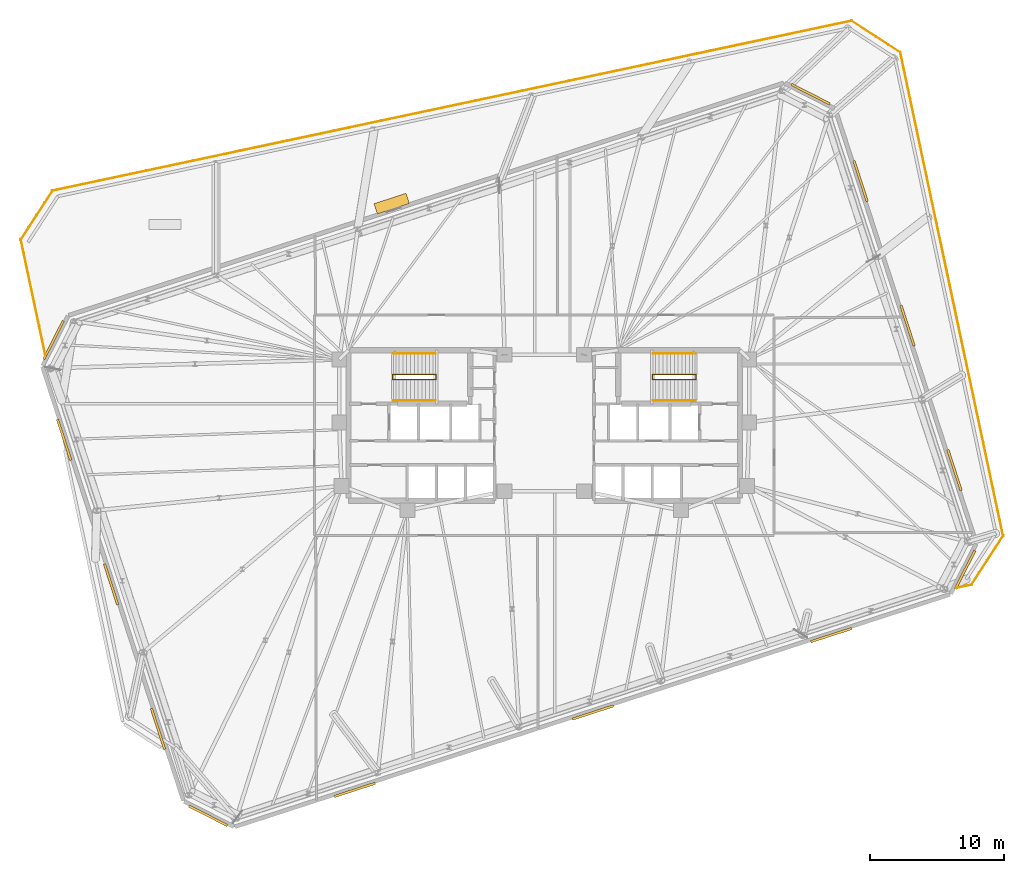
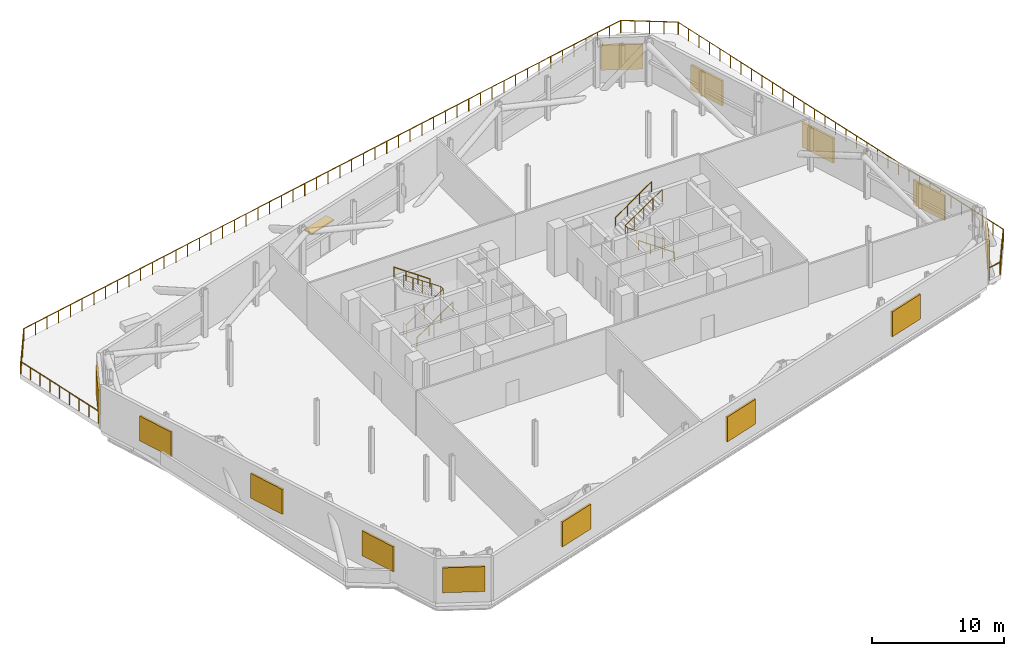
# One storey, part 16 of 16: 14 shading devices, 13 railings.
"""IFC4 building model written with IfcOpenShell, lengths in metres."""

from ifc_helpers import new_model, si_unit, direction, frame, origin, origin_2d, place, context, subcontext, project, spatial, rectangle, circle, extrude, material, layer, layer_set, type_object, element, save


model = new_model("IFC4")

# Units and contexts
model_context = context("Model", 3, precision=1e-05, world=origin(), true_north=direction((0.0, 1.0)))
body_context = subcontext(model_context, "Body", "Model", "MODEL_VIEW")
ifc_project = project(units=[si_unit("LENGTHUNIT", "METRE"), si_unit("AREAUNIT", "SQUARE_METRE"), si_unit("VOLUMEUNIT", "CUBIC_METRE"), si_unit("PLANEANGLEUNIT", "RADIAN"), si_unit("MASSUNIT", "GRAM", prefix="KILO")], contexts=[model_context])

# Site, building, storey
site_placement = place(None, origin())
site = spatial("IfcSite", under=ifc_project, at=site_placement, CompositionType="ELEMENT")
building_placement = place(site_placement, origin())
building = spatial("IfcBuilding", under=site, at=building_placement, Name="Menara Jurai Vektor", CompositionType="ELEMENT")
storey_placement = place(building_placement, frame((0.0, 0.0, 202.39990234375)))
storey = spatial("IfcBuildingStorey", under=building, at=storey_placement, Name="L53", CompositionType="ELEMENT", Elevation=202.39990234375)

# Railings
ifc_material_1 = material(Name="Anodised Pale Aluminium & Laminated Glass Guardrail", Category="aluminium")
ifc_layer = layer(ifc_material_1, 0.070068359375)
ifc_layer_set = layer_set([ifc_layer], Name="Anodised Pale Aluminium & Laminated Glass Guardrail")
railing_type_1 = type_object("IfcRailingType", Name="ENV-RAIL-TER115", PredefinedType="GUARDRAIL", material=ifc_layer_set)
railing_1_placement = place(storey_placement, frame((30.656982421875, -12.092529296875, 0.0)))
element("IfcRailing", 1, at=railing_1_placement, inside=storey, type_object=railing_type_1, Name="Spiral Terrace Guardrail L53-STEP-01", PredefinedType="GUARDRAIL", context=body_context, shape_type="SweptSolid", body=[
    extrude(circle(Radius=0.02392578125, at=origin_2d()), frame((0.0, 0.0, 1.1259765625), z_axis=(0.978157782588, 0.207863783193, 0.0), x_axis=(-0.207863783193, 0.978157782588, 0.0)), (0.0, 0.0, 1.0), 1.16162109375),
    extrude(circle(Radius=0.02099609375, at=origin_2d()), origin(), (0.0, 0.0, 1.0), 1.101806640625),
    extrude(circle(Radius=0.02099609375, at=origin_2d()), frame((1.13623046875, 0.241455078125, 0.0)), (0.0, 0.0, 1.0), 1.101806640625),
])
railing_2_placement = place(storey_placement, frame((31.755615234375, -11.876953125, 0.0)))
element("IfcRailing", 2, at=railing_2_placement, inside=storey, type_object=railing_type_1, Name="Spiral Terrace Guardrail L53-STEP-02", PredefinedType="GUARDRAIL", context=body_context, shape_type="SweptSolid", body=[
    extrude(circle(Radius=0.02392578125, at=origin_2d()), frame((0.0, 0.0, 1.1259765625), z_axis=(0.544635965926, 0.838672561027, 0.0), x_axis=(-0.838672561027, 0.544635965926, 0.0)), (0.0, 0.0, 1.0), 4.384033203125),
    extrude(circle(Radius=0.02099609375, at=origin_2d()), origin(), (0.0, 0.0, 1.0), 1.101806640625),
    extrude(circle(Radius=0.02099609375, at=origin_2d()), frame((0.596923828125, 0.919189453125, 0.0)), (0.0, 0.0, 1.0), 1.101806640625),
    extrude(circle(Radius=0.02099609375, at=origin_2d()), frame((1.19384765625, 1.83837890625, 0.0)), (0.0, 0.0, 1.0), 1.101806640625),
    extrude(circle(Radius=0.02099609375, at=origin_2d()), frame((1.790771484375, 2.757568359375, 0.0)), (0.0, 0.0, 1.0), 1.101806640625),
    extrude(circle(Radius=0.02099609375, at=origin_2d()), frame((2.3876953125, 3.6767578125, 0.0)), (0.0, 0.0, 1.0), 1.101806640625),
])
railing_3_placement = place(storey_placement, frame((34.134765625, -8.245361328125, 0.0)))
element("IfcRailing", 3, at=railing_3_placement, inside=storey, type_object=railing_type_1, Name="Spiral Terrace Guardrail L53-STEP-03", PredefinedType="GUARDRAIL", context=body_context, shape_type="SweptSolid", body=[
    extrude(circle(Radius=0.02392578125, at=origin_2d()), frame((0.0, 0.0, 1.1259765625), z_axis=(-0.207910885348, 0.978147771941, 0.0), x_axis=(-0.978147771941, -0.207910885348, 0.0)), (0.0, 0.0, 1.0), 36.800048828125),
    extrude(circle(Radius=0.02099609375, at=origin_2d()), origin(), (0.0, 0.0, 1.0), 1.101806640625),
    extrude(circle(Radius=0.02099609375, at=origin_2d()), frame((-0.246826171875, 1.1611328125, 0.0)), (0.0, 0.0, 1.0), 1.101806640625),
    extrude(circle(Radius=0.02099609375, at=origin_2d()), frame((-0.49365234375, 2.322265625, 0.0)), (0.0, 0.0, 1.0), 1.101806640625),
    extrude(circle(Radius=0.02099609375, at=origin_2d()), frame((-0.740478515625, 3.4833984375, 0.0)), (0.0, 0.0, 1.0), 1.101806640625),
    extrude(circle(Radius=0.02099609375, at=origin_2d()), frame((-0.9873046875, 4.64453125, 0.0)), (0.0, 0.0, 1.0), 1.101806640625),
    extrude(circle(Radius=0.02099609375, at=origin_2d()), frame((-1.234130859375, 5.8056640625, 0.0)), (0.0, 0.0, 1.0), 1.101806640625),
    extrude(circle(Radius=0.02099609375, at=origin_2d()), frame((-1.48095703125, 6.967041015625, 0.0)), (0.0, 0.0, 1.0), 1.101806640625),
    extrude(circle(Radius=0.02099609375, at=origin_2d()), frame((-1.727783203125, 8.128173828125, 0.0)), (0.0, 0.0, 1.0), 1.101806640625),
    extrude(circle(Radius=0.02099609375, at=origin_2d()), frame((-1.974365234375, 9.289306640625, 0.0)), (0.0, 0.0, 1.0), 1.101806640625),
    extrude(circle(Radius=0.02099609375, at=origin_2d()), frame((-2.22119140625, 10.450439453125, 0.0)), (0.0, 0.0, 1.0), 1.101806640625),
    extrude(circle(Radius=0.02099609375, at=origin_2d()), frame((-2.468017578125, 11.611572265625, 0.0)), (0.0, 0.0, 1.0), 1.101806640625),
    extrude(circle(Radius=0.02099609375, at=origin_2d()), frame((-2.71484375, 12.772705078125, 0.0)), (0.0, 0.0, 1.0), 1.101806640625),
    extrude(circle(Radius=0.02099609375, at=origin_2d()), frame((-2.961669921875, 13.933837890625, 0.0)), (0.0, 0.0, 1.0), 1.101806640625),
    extrude(circle(Radius=0.02099609375, at=origin_2d()), frame((-3.20849609375, 15.094970703125, 0.0)), (0.0, 0.0, 1.0), 1.101806640625),
    extrude(circle(Radius=0.02099609375, at=origin_2d()), frame((-3.455322265625, 16.256103515625, 0.0)), (0.0, 0.0, 1.0), 1.101806640625),
    extrude(circle(Radius=0.02099609375, at=origin_2d()), frame((-3.7021484375, 17.417236328125, 0.0)), (0.0, 0.0, 1.0), 1.101806640625),
    extrude(circle(Radius=0.02099609375, at=origin_2d()), frame((-3.948974609375, 18.57861328125, 0.0)), (0.0, 0.0, 1.0), 1.101806640625),
    extrude(circle(Radius=0.02099609375, at=origin_2d()), frame((-4.19580078125, 19.73974609375, 0.0)), (0.0, 0.0, 1.0), 1.101806640625),
    extrude(circle(Radius=0.02099609375, at=origin_2d()), frame((-4.442626953125, 20.90087890625, 0.0)), (0.0, 0.0, 1.0), 1.101806640625),
    extrude(circle(Radius=0.02099609375, at=origin_2d()), frame((-4.689453125, 22.06201171875, 0.0)), (0.0, 0.0, 1.0), 1.101806640625),
    extrude(circle(Radius=0.02099609375, at=origin_2d()), frame((-4.936279296875, 23.22314453125, 0.0)), (0.0, 0.0, 1.0), 1.101806640625),
    extrude(circle(Radius=0.02099609375, at=origin_2d()), frame((-5.18310546875, 24.38427734375, 0.0)), (0.0, 0.0, 1.0), 1.101806640625),
    extrude(circle(Radius=0.02099609375, at=origin_2d()), frame((-5.429931640625, 25.54541015625, 0.0)), (0.0, 0.0, 1.0), 1.101806640625),
    extrude(circle(Radius=0.02099609375, at=origin_2d()), frame((-5.6767578125, 26.70654296875, 0.0)), (0.0, 0.0, 1.0), 1.101806640625),
    extrude(circle(Radius=0.02099609375, at=origin_2d()), frame((-5.92333984375, 27.86767578125, 0.0)), (0.0, 0.0, 1.0), 1.101806640625),
    extrude(circle(Radius=0.02099609375, at=origin_2d()), frame((-6.170166015625, 29.02880859375, 0.0)), (0.0, 0.0, 1.0), 1.101806640625),
    extrude(circle(Radius=0.02099609375, at=origin_2d()), frame((-6.4169921875, 30.190185546875, 0.0)), (0.0, 0.0, 1.0), 1.101806640625),
    extrude(circle(Radius=0.02099609375, at=origin_2d()), frame((-6.663818359375, 31.351318359375, 0.0)), (0.0, 0.0, 1.0), 1.101806640625),
    extrude(circle(Radius=0.02099609375, at=origin_2d()), frame((-6.91064453125, 32.512451171875, 0.0)), (0.0, 0.0, 1.0), 1.101806640625),
    extrude(circle(Radius=0.02099609375, at=origin_2d()), frame((-7.157470703125, 33.673583984375, 0.0)), (0.0, 0.0, 1.0), 1.101806640625),
    extrude(circle(Radius=0.02099609375, at=origin_2d()), frame((-7.404296875, 34.834716796875, 0.0)), (0.0, 0.0, 1.0), 1.101806640625),
    extrude(circle(Radius=0.02099609375, at=origin_2d()), frame((-7.651123046875, 35.995849609375, 0.0)), (0.0, 0.0, 1.0), 1.101806640625),
])
railing_4_placement = place(storey_placement, frame((26.509765625, 27.712646484375, 0.0)))
element("IfcRailing", 4, at=railing_4_placement, inside=storey, type_object=railing_type_1, Name="Spiral Terrace Guardrail L53-STEP-04", PredefinedType="GUARDRAIL", context=body_context, shape_type="SweptSolid", body=[
    extrude(circle(Radius=0.02392578125, at=origin_2d()), frame((0.0, 0.0, 1.1259765625), z_axis=(-0.838672561027, 0.544635965926, 0.0), x_axis=(-0.544635965926, -0.838672561027, 0.0)), (0.0, 0.0, 1.0), 4.384033203125),
    extrude(circle(Radius=0.02099609375, at=origin_2d()), origin(), (0.0, 0.0, 1.0), 1.101806640625),
    extrude(circle(Radius=0.02099609375, at=origin_2d()), frame((-0.919189453125, 0.596923828125, 0.0)), (0.0, 0.0, 1.0), 1.101806640625),
    extrude(circle(Radius=0.02099609375, at=origin_2d()), frame((-1.83837890625, 1.19384765625, 0.0)), (0.0, 0.0, 1.0), 1.101806640625),
    extrude(circle(Radius=0.02099609375, at=origin_2d()), frame((-2.757568359375, 1.790771484375, 0.0)), (0.0, 0.0, 1.0), 1.101806640625),
    extrude(circle(Radius=0.02099609375, at=origin_2d()), frame((-3.6767578125, 2.3876953125, 0.0)), (0.0, 0.0, 1.0), 1.101806640625),
])
railing_5_placement = place(storey_placement, frame((22.878173828125, 30.092041015625, 0.0)))
element("IfcRailing", 5, at=railing_5_placement, inside=storey, type_object=railing_type_1, Name="Spiral Terrace Guardrail L53-STEP-05", PredefinedType="GUARDRAIL", context=body_context, shape_type="SweptSolid", body=[
    extrude(circle(Radius=0.02392578125, at=origin_2d()), frame((0.0, 0.0, 1.1259765625), z_axis=(-0.97814736852, -0.207912783297, 0.0), x_axis=(0.207912783297, -0.97814736852, 0.0)), (0.0, 0.0, 1.0), 60.800048828125),
    extrude(circle(Radius=0.02099609375, at=origin_2d()), origin(), (0.0, 0.0, 1.0), 1.101806640625),
    extrude(circle(Radius=0.02099609375, at=origin_2d()), frame((-1.166015625, -0.247802734375, 0.0)), (0.0, 0.0, 1.0), 1.101806640625),
    extrude(circle(Radius=0.02099609375, at=origin_2d()), frame((-2.332275390625, -0.495849609375, 0.0)), (0.0, 0.0, 1.0), 1.101806640625),
    extrude(circle(Radius=0.02099609375, at=origin_2d()), frame((-3.498291015625, -0.74365234375, 0.0)), (0.0, 0.0, 1.0), 1.101806640625),
    extrude(circle(Radius=0.02099609375, at=origin_2d()), frame((-4.664306640625, -0.991455078125, 0.0)), (0.0, 0.0, 1.0), 1.101806640625),
    extrude(circle(Radius=0.02099609375, at=origin_2d()), frame((-5.83056640625, -1.2392578125, 0.0)), (0.0, 0.0, 1.0), 1.101806640625),
    extrude(circle(Radius=0.02099609375, at=origin_2d()), frame((-6.99658203125, -1.4873046875, 0.0)), (0.0, 0.0, 1.0), 1.101806640625),
    extrude(circle(Radius=0.02099609375, at=origin_2d()), frame((-8.162841796875, -1.735107421875, 0.0)), (0.0, 0.0, 1.0), 1.101806640625),
    extrude(circle(Radius=0.02099609375, at=origin_2d()), frame((-9.328857421875, -1.98291015625, 0.0)), (0.0, 0.0, 1.0), 1.101806640625),
    extrude(circle(Radius=0.02099609375, at=origin_2d()), frame((-10.494873046875, -2.230712890625, 0.0)), (0.0, 0.0, 1.0), 1.101806640625),
    extrude(circle(Radius=0.02099609375, at=origin_2d()), frame((-11.6611328125, -2.478759765625, 0.0)), (0.0, 0.0, 1.0), 1.101806640625),
    extrude(circle(Radius=0.02099609375, at=origin_2d()), frame((-12.8271484375, -2.7265625, 0.0)), (0.0, 0.0, 1.0), 1.101806640625),
    extrude(circle(Radius=0.02099609375, at=origin_2d()), frame((-13.9931640625, -2.974365234375, 0.0)), (0.0, 0.0, 1.0), 1.101806640625),
    extrude(circle(Radius=0.02099609375, at=origin_2d()), frame((-15.159423828125, -3.22216796875, 0.0)), (0.0, 0.0, 1.0), 1.101806640625),
    extrude(circle(Radius=0.02099609375, at=origin_2d()), frame((-16.325439453125, -3.47021484375, 0.0)), (0.0, 0.0, 1.0), 1.101806640625),
    extrude(circle(Radius=0.02099609375, at=origin_2d()), frame((-17.49169921875, -3.718017578125, 0.0)), (0.0, 0.0, 1.0), 1.101806640625),
    extrude(circle(Radius=0.02099609375, at=origin_2d()), frame((-18.65771484375, -3.9658203125, 0.0)), (0.0, 0.0, 1.0), 1.101806640625),
    extrude(circle(Radius=0.02099609375, at=origin_2d()), frame((-19.82373046875, -4.213623046875, 0.0)), (0.0, 0.0, 1.0), 1.101806640625),
    extrude(circle(Radius=0.02099609375, at=origin_2d()), frame((-20.989990234375, -4.461669921875, 0.0)), (0.0, 0.0, 1.0), 1.101806640625),
    extrude(circle(Radius=0.02099609375, at=origin_2d()), frame((-22.156005859375, -4.70947265625, 0.0)), (0.0, 0.0, 1.0), 1.101806640625),
    extrude(circle(Radius=0.02099609375, at=origin_2d()), frame((-23.322021484375, -4.957275390625, 0.0)), (0.0, 0.0, 1.0), 1.101806640625),
    extrude(circle(Radius=0.02099609375, at=origin_2d()), frame((-24.48828125, -5.205078125, 0.0)), (0.0, 0.0, 1.0), 1.101806640625),
    extrude(circle(Radius=0.02099609375, at=origin_2d()), frame((-25.654296875, -5.453125, 0.0)), (0.0, 0.0, 1.0), 1.101806640625),
    extrude(circle(Radius=0.02099609375, at=origin_2d()), frame((-26.820556640625, -5.700927734375, 0.0)), (0.0, 0.0, 1.0), 1.101806640625),
    extrude(circle(Radius=0.02099609375, at=origin_2d()), frame((-27.986572265625, -5.94873046875, 0.0)), (0.0, 0.0, 1.0), 1.101806640625),
    extrude(circle(Radius=0.02099609375, at=origin_2d()), frame((-29.152587890625, -6.196533203125, 0.0)), (0.0, 0.0, 1.0), 1.101806640625),
    extrude(circle(Radius=0.02099609375, at=origin_2d()), frame((-30.31884765625, -6.444580078125, 0.0)), (0.0, 0.0, 1.0), 1.101806640625),
    extrude(circle(Radius=0.02099609375, at=origin_2d()), frame((-31.48486328125, -6.6923828125, 0.0)), (0.0, 0.0, 1.0), 1.101806640625),
    extrude(circle(Radius=0.02099609375, at=origin_2d()), frame((-32.65087890625, -6.940185546875, 0.0)), (0.0, 0.0, 1.0), 1.101806640625),
    extrude(circle(Radius=0.02099609375, at=origin_2d()), frame((-33.817138671875, -7.18798828125, 0.0)), (0.0, 0.0, 1.0), 1.101806640625),
    extrude(circle(Radius=0.02099609375, at=origin_2d()), frame((-34.983154296875, -7.43603515625, 0.0)), (0.0, 0.0, 1.0), 1.101806640625),
    extrude(circle(Radius=0.02099609375, at=origin_2d()), frame((-36.1494140625, -7.683837890625, 0.0)), (0.0, 0.0, 1.0), 1.101806640625),
    extrude(circle(Radius=0.02099609375, at=origin_2d()), frame((-37.3154296875, -7.931640625, 0.0)), (0.0, 0.0, 1.0), 1.101806640625),
    extrude(circle(Radius=0.02099609375, at=origin_2d()), frame((-38.4814453125, -8.179443359375, 0.0)), (0.0, 0.0, 1.0), 1.101806640625),
    extrude(circle(Radius=0.02099609375, at=origin_2d()), frame((-39.647705078125, -8.427490234375, 0.0)), (0.0, 0.0, 1.0), 1.101806640625),
    extrude(circle(Radius=0.02099609375, at=origin_2d()), frame((-40.813720703125, -8.67529296875, 0.0)), (0.0, 0.0, 1.0), 1.101806640625),
    extrude(circle(Radius=0.02099609375, at=origin_2d()), frame((-41.979736328125, -8.923095703125, 0.0)), (0.0, 0.0, 1.0), 1.101806640625),
    extrude(circle(Radius=0.02099609375, at=origin_2d()), frame((-43.14599609375, -9.1708984375, 0.0)), (0.0, 0.0, 1.0), 1.101806640625),
    extrude(circle(Radius=0.02099609375, at=origin_2d()), frame((-44.31201171875, -9.4189453125, 0.0)), (0.0, 0.0, 1.0), 1.101806640625),
    extrude(circle(Radius=0.02099609375, at=origin_2d()), frame((-45.478271484375, -9.666748046875, 0.0)), (0.0, 0.0, 1.0), 1.101806640625),
    extrude(circle(Radius=0.02099609375, at=origin_2d()), frame((-46.644287109375, -9.91455078125, 0.0)), (0.0, 0.0, 1.0), 1.101806640625),
    extrude(circle(Radius=0.02099609375, at=origin_2d()), frame((-47.810302734375, -10.162353515625, 0.0)), (0.0, 0.0, 1.0), 1.101806640625),
    extrude(circle(Radius=0.02099609375, at=origin_2d()), frame((-48.9765625, -10.410400390625, 0.0)), (0.0, 0.0, 1.0), 1.101806640625),
    extrude(circle(Radius=0.02099609375, at=origin_2d()), frame((-50.142578125, -10.658203125, 0.0)), (0.0, 0.0, 1.0), 1.101806640625),
    extrude(circle(Radius=0.02099609375, at=origin_2d()), frame((-51.30859375, -10.906005859375, 0.0)), (0.0, 0.0, 1.0), 1.101806640625),
    extrude(circle(Radius=0.02099609375, at=origin_2d()), frame((-52.474853515625, -11.15380859375, 0.0)), (0.0, 0.0, 1.0), 1.101806640625),
    extrude(circle(Radius=0.02099609375, at=origin_2d()), frame((-53.640869140625, -11.40185546875, 0.0)), (0.0, 0.0, 1.0), 1.101806640625),
    extrude(circle(Radius=0.02099609375, at=origin_2d()), frame((-54.80712890625, -11.649658203125, 0.0)), (0.0, 0.0, 1.0), 1.101806640625),
    extrude(circle(Radius=0.02099609375, at=origin_2d()), frame((-55.97314453125, -11.8974609375, 0.0)), (0.0, 0.0, 1.0), 1.101806640625),
    extrude(circle(Radius=0.02099609375, at=origin_2d()), frame((-57.13916015625, -12.145263671875, 0.0)), (0.0, 0.0, 1.0), 1.101806640625),
    extrude(circle(Radius=0.02099609375, at=origin_2d()), frame((-58.305419921875, -12.393310546875, 0.0)), (0.0, 0.0, 1.0), 1.101806640625),
    extrude(circle(Radius=0.02099609375, at=origin_2d()), frame((-59.471435546875, -12.64111328125, 0.0)), (0.0, 0.0, 1.0), 1.101806640625),
])
railing_6_placement = place(storey_placement, frame((-36.555419921875, 17.47705078125, 0.0)))
element("IfcRailing", 6, at=railing_6_placement, inside=storey, type_object=railing_type_1, Name="Spiral Terrace Guardrail L53-STEP-06", PredefinedType="GUARDRAIL", context=body_context, shape_type="SweptSolid", body=[
    extrude(circle(Radius=0.02392578125, at=origin_2d()), frame((0.0, 0.0, 1.1259765625), z_axis=(-0.544635965926, -0.838672561027, 0.0), x_axis=(0.838672561027, -0.544635965926, 0.0)), (0.0, 0.0, 1.0), 4.384033203125),
    extrude(circle(Radius=0.02099609375, at=origin_2d()), origin(), (0.0, 0.0, 1.0), 1.101806640625),
    extrude(circle(Radius=0.02099609375, at=origin_2d()), frame((-0.596923828125, -0.919189453125, 0.0)), (0.0, 0.0, 1.0), 1.101806640625),
    extrude(circle(Radius=0.02099609375, at=origin_2d()), frame((-1.19384765625, -1.83837890625, 0.0)), (0.0, 0.0, 1.0), 1.101806640625),
    extrude(circle(Radius=0.02099609375, at=origin_2d()), frame((-1.790771484375, -2.757568359375, 0.0)), (0.0, 0.0, 1.0), 1.101806640625),
    extrude(circle(Radius=0.02099609375, at=origin_2d()), frame((-2.3876953125, -3.6767578125, 0.0)), (0.0, 0.0, 1.0), 1.101806640625),
])
railing_7_placement = place(storey_placement, frame((-38.934814453125, 13.845458984375, 0.0)))
element("IfcRailing", 7, at=railing_7_placement, inside=storey, type_object=railing_type_1, Name="Spiral Terrace Guardrail L53-STEP-07", PredefinedType="GUARDRAIL", context=body_context, shape_type="SweptSolid", body=[
    extrude(circle(Radius=0.02392578125, at=origin_2d()), frame((0.0, 0.0, 1.1259765625), z_axis=(0.207910787526, -0.978147792734, 0.0), x_axis=(0.978147792734, 0.207910787526, 0.0)), (0.0, 0.0, 1.0), 8.810546875),
    extrude(circle(Radius=0.02099609375, at=origin_2d()), origin(), (0.0, 0.0, 1.0), 1.101806640625),
    extrude(circle(Radius=0.02099609375, at=origin_2d()), frame((0.22900390625, -1.0771484375, 0.0)), (0.0, 0.0, 1.0), 1.101806640625),
    extrude(circle(Radius=0.02099609375, at=origin_2d()), frame((0.4580078125, -2.154541015625, 0.0)), (0.0, 0.0, 1.0), 1.101806640625),
    extrude(circle(Radius=0.02099609375, at=origin_2d()), frame((0.68701171875, -3.231689453125, 0.0)), (0.0, 0.0, 1.0), 1.101806640625),
    extrude(circle(Radius=0.02099609375, at=origin_2d()), frame((0.916015625, -4.30908203125, 0.0)), (0.0, 0.0, 1.0), 1.101806640625),
    extrude(circle(Radius=0.02099609375, at=origin_2d()), frame((1.144775390625, -5.38623046875, 0.0)), (0.0, 0.0, 1.0), 1.101806640625),
    extrude(circle(Radius=0.02099609375, at=origin_2d()), frame((1.373779296875, -6.46337890625, 0.0)), (0.0, 0.0, 1.0), 1.101806640625),
    extrude(circle(Radius=0.02099609375, at=origin_2d()), frame((1.602783203125, -7.540771484375, 0.0)), (0.0, 0.0, 1.0), 1.101806640625),
    extrude(circle(Radius=0.02099609375, at=origin_2d()), frame((1.831787109375, -8.617919921875, 0.0)), (0.0, 0.0, 1.0), 1.101806640625),
])

# Shading devices
ifc_material_2 = material(Name="Anodised Pale Aluminium Acoustic Louvre", Category="aluminium")
shading_device_type_1 = type_object("IfcShadingDeviceType", Name="ENV-SHD-LOUVRE", PredefinedType="USERDEFINED", material=ifc_material_2)
for number, where, z_axis, x_axis, name in (
    (8, (-14.100830078125, -27.11328125, 1.00830078125), (0.0, 0.0, 1.0), (0.951056516295, 0.309016994375, 0.0), "Acoustic Plant Weather Louvre L53-E01-1"),
    (9, (3.62353515625, -21.354248046875, 1.00830078125), (0.0, 0.0, 1.0), (0.951056516295, 0.309016994375, 0.0), "Acoustic Plant Weather Louvre L53-E01-2"),
    (10, (21.34814453125, -15.59521484375, 1.00830078125), (0.0, 0.0, 1.0), (0.951056516295, 0.309016994375, 0.0), "Acoustic Plant Weather Louvre L53-E01-3"),
    (11, (31.297607421875, -10.7421875, 1.00830078125), (0.0, 0.0, 1.0), (0.45399049974, 0.891006524188, 0.0), "Acoustic Plant Weather Louvre L53-E02-1"),
    (12, (30.5087890625, -3.327392578125, 1.00830078125), (0.0, 0.0, 1.0), (-0.309016994375, 0.951056516295, 0.0), "Acoustic Plant Weather Louvre L53-E03-1"),
    (13, (27.015869140625, 7.4228515625, 1.00830078125), (0.0, 0.0, 1.0), (-0.309016994375, 0.951056516295, 0.0), "Acoustic Plant Weather Louvre L53-E03-2"),
    (14, (23.52294921875, 18.1728515625, 1.00830078125), (0.0, 0.0, 1.0), (-0.309016994375, 0.951056516295, 0.0), "Acoustic Plant Weather Louvre L53-E03-3"),
    (15, (19.802978515625, 24.63525390625, 1.00830078125), (0.0, 0.0, 1.0), (-0.891006524188, 0.45399049974, 0.0), "Acoustic Plant Weather Louvre L53-E04-1"),
    (16, (-36.497802734375, 6.342041015625, 1.00830078125), (0.0, 0.0, 1.0), (-0.45399049974, -0.891006524188, 0.0), "Acoustic Plant Weather Louvre L53-E06-1"),
    (17, (-35.708740234375, -1.07275390625, 1.00830078125), (0.0, 0.0, 1.0), (0.309016994375, -0.951056516295, 0.0), "Acoustic Plant Weather Louvre L53-E07-1"),
    (18, (-32.2158203125, -11.82275390625, 1.00830078125), (0.0, 0.0, 1.0), (0.309016994375, -0.951056516295, 0.0), "Acoustic Plant Weather Louvre L53-E07-2"),
    (19, (-28.722900390625, -22.572998046875, 1.00830078125), (0.0, 0.0, 1.0), (0.309016994375, -0.951056516295, 0.0), "Acoustic Plant Weather Louvre L53-E07-3"),
    (20, (-25.0029296875, -29.035400390625, 1.00830078125), (0.0, 0.0, 1.0), (0.891006524188, -0.45399049974, 0.0), "Acoustic Plant Weather Louvre L53-E08-1"),
):
    element("IfcShadingDevice", number, at=place(storey_placement, frame(where, z_axis=z_axis, x_axis=x_axis)), inside=storey, type_object=shading_device_type_1, Name=name, ObjectType="LOUVRE", PredefinedType="USERDEFINED", context=body_context, shape_type="SweptSolid", body=[
        extrude(rectangle(XDim=3.199951171875, YDim=0.179931640625, at=origin_2d()), origin(), (0.0, 0.0, 1.0), 2.300048828125),
    ])
ifc_material_3 = material(Name="Anodised Pale Aluminium Sunshade Blade", Category="aluminium")
shading_device_type_2 = type_object("IfcShadingDeviceType", Name="ENV-SHD-SUNSHADE", PredefinedType="USERDEFINED", material=ifc_material_3)
shading_device_placement = place(storey_placement, frame((-11.34814453125, 16.491455078125, 2.39013671875), z_axis=(0.0, 0.0, 1.0), x_axis=(-0.951056516295, -0.309016994375, 0.0)))
element("IfcShadingDevice", 21, at=shading_device_placement, inside=storey, type_object=shading_device_type_2, Name="Doorway Pale-Metal Sunshade L53-STEP", ObjectType="SUNSHADE", PredefinedType="USERDEFINED", context=body_context, shape_type="SweptSolid", body=[
    extrude(rectangle(XDim=2.5, YDim=0.800048828125, at=origin_2d()), origin(), (0.0, 0.0, 1.0), 0.1201171875),
])

# Railings
ifc_material_4 = material(Name="Painted Galvanised Steel Balustrade", Category="steel")
railing_type_2 = type_object("IfcRailingType", Name="RAIL-STAIR-GUARD", PredefinedType="GUARDRAIL", material=ifc_material_4)
railing_8_placement = place(storey_placement, frame((-11.2900390625, 3.780029296875, 0.0)))
element("IfcRailing", 22, at=railing_8_placement, inside=storey, type_object=railing_type_2, Name="ST1 Stair Guardrail 1 L53", PredefinedType="GUARDRAIL", context=body_context, shape_type="SweptSolid", body=[
    extrude(circle(Radius=0.02392578125, at=origin_2d()), frame((0.0, 0.0, 1.1259765625), z_axis=(0.0, -1.0, 0.0), x_axis=(1.0, 0.0, 0.0)), (0.0, 0.0, 1.0), 0.360107421875),
    extrude(circle(Radius=0.02392578125, at=origin_2d()), frame((0.0, -0.360107421875, 1.1259765625), z_axis=(0.827282288178, 0.0, 0.561786450234), x_axis=(0.0, 1.0, 0.0)), (0.0, 0.0, 1.0), 3.91650390625),
    extrude(circle(Radius=0.02392578125, at=origin_2d()), frame((3.239990234375, -0.360107421875, 3.326171875), z_axis=(0.0, 1.0, 0.0), x_axis=(-1.0, 0.0, 0.0)), (0.0, 0.0, 1.0), 0.360107421875),
    extrude(circle(Radius=0.02392578125, at=origin_2d()), frame((3.239990234375, 0.0, 3.326171875), z_axis=(-0.827311259865, 0.0, 0.56174378439), x_axis=(0.0, -1.0, 0.0)), (0.0, 0.0, 1.0), 3.916259765625),
    extrude(circle(Radius=0.02099609375, at=origin_2d()), origin(), (0.0, 0.0, 1.0), 1.101806640625),
    extrude(circle(Radius=0.02099609375, at=origin_2d()), frame((0.0, -0.360107421875, 0.0)), (0.0, 0.0, 1.0), 1.101806640625),
    extrude(circle(Radius=0.02099609375, at=origin_2d()), frame((0.81005859375, -0.360107421875, 0.550048828125)), (0.0, 0.0, 1.0), 1.101806640625),
    extrude(circle(Radius=0.02099609375, at=origin_2d()), frame((1.6201171875, -0.360107421875, 1.10009765625)), (0.0, 0.0, 1.0), 1.101806640625),
    extrude(circle(Radius=0.02099609375, at=origin_2d()), frame((2.429931640625, -0.360107421875, 1.650146484375)), (0.0, 0.0, 1.0), 1.101806640625),
    extrude(circle(Radius=0.02099609375, at=origin_2d()), frame((3.239990234375, -0.360107421875, 2.2001953125)), (0.0, 0.0, 1.0), 1.101806640625),
    extrude(circle(Radius=0.02099609375, at=origin_2d()), frame((3.239990234375, 0.0, 2.2001953125)), (0.0, 0.0, 1.0), 1.101806640625),
    extrude(circle(Radius=0.02099609375, at=origin_2d()), frame((2.429931640625, 0.0, 2.750244140625)), (0.0, 0.0, 1.0), 1.101806640625),
    extrude(circle(Radius=0.02099609375, at=origin_2d()), frame((1.6201171875, 0.0, 3.30029296875)), (0.0, 0.0, 1.0), 1.101806640625),
    extrude(circle(Radius=0.02099609375, at=origin_2d()), frame((0.81005859375, 0.0, 3.85009765625)), (0.0, 0.0, 1.0), 1.101806640625),
    extrude(circle(Radius=0.02099609375, at=origin_2d()), frame((0.0, 0.0, 4.400146484375)), (0.0, 0.0, 1.0), 1.101806640625),
])
railing_9_placement = place(storey_placement, frame((11.2900390625, 3.780029296875, 0.0)))
element("IfcRailing", 23, at=railing_9_placement, inside=storey, type_object=railing_type_2, Name="ST2 Stair Guardrail 1 L53", PredefinedType="GUARDRAIL", context=body_context, shape_type="SweptSolid", body=[
    extrude(circle(Radius=0.02392578125, at=origin_2d()), frame((0.0, 0.0, 1.1259765625), z_axis=(0.0, -1.0, 0.0), x_axis=(1.0, 0.0, 0.0)), (0.0, 0.0, 1.0), 0.360107421875),
    extrude(circle(Radius=0.02392578125, at=origin_2d()), frame((0.0, -0.360107421875, 1.1259765625), z_axis=(-0.827282288178, 0.0, 0.561786450234), x_axis=(0.0, -1.0, 0.0)), (0.0, 0.0, 1.0), 3.91650390625),
    extrude(circle(Radius=0.02392578125, at=origin_2d()), frame((-3.239990234375, -0.360107421875, 3.326171875), z_axis=(0.0, 1.0, 0.0), x_axis=(-1.0, 0.0, 0.0)), (0.0, 0.0, 1.0), 0.360107421875),
    extrude(circle(Radius=0.02392578125, at=origin_2d()), frame((-3.239990234375, 0.0, 3.326171875), z_axis=(0.827311259865, 0.0, 0.56174378439), x_axis=(0.0, 1.0, 0.0)), (0.0, 0.0, 1.0), 3.916259765625),
    extrude(circle(Radius=0.02099609375, at=origin_2d()), origin(), (0.0, 0.0, 1.0), 1.101806640625),
    extrude(circle(Radius=0.02099609375, at=origin_2d()), frame((0.0, -0.360107421875, 0.0)), (0.0, 0.0, 1.0), 1.101806640625),
    extrude(circle(Radius=0.02099609375, at=origin_2d()), frame((-0.81005859375, -0.360107421875, 0.550048828125)), (0.0, 0.0, 1.0), 1.101806640625),
    extrude(circle(Radius=0.02099609375, at=origin_2d()), frame((-1.6201171875, -0.360107421875, 1.10009765625)), (0.0, 0.0, 1.0), 1.101806640625),
    extrude(circle(Radius=0.02099609375, at=origin_2d()), frame((-2.429931640625, -0.360107421875, 1.650146484375)), (0.0, 0.0, 1.0), 1.101806640625),
    extrude(circle(Radius=0.02099609375, at=origin_2d()), frame((-3.239990234375, -0.360107421875, 2.2001953125)), (0.0, 0.0, 1.0), 1.101806640625),
    extrude(circle(Radius=0.02099609375, at=origin_2d()), frame((-3.239990234375, 0.0, 2.2001953125)), (0.0, 0.0, 1.0), 1.101806640625),
    extrude(circle(Radius=0.02099609375, at=origin_2d()), frame((-2.429931640625, 0.0, 2.750244140625)), (0.0, 0.0, 1.0), 1.101806640625),
    extrude(circle(Radius=0.02099609375, at=origin_2d()), frame((-1.6201171875, 0.0, 3.30029296875)), (0.0, 0.0, 1.0), 1.101806640625),
    extrude(circle(Radius=0.02099609375, at=origin_2d()), frame((-0.81005859375, 0.0, 3.85009765625)), (0.0, 0.0, 1.0), 1.101806640625),
    extrude(circle(Radius=0.02099609375, at=origin_2d()), frame((0.0, 0.0, 4.400146484375)), (0.0, 0.0, 1.0), 1.101806640625),
])
ifc_material_5 = material(Name="Brushed Stainless Steel Handrail", Category="steel")
railing_type_3 = type_object("IfcRailingType", Name="RAIL-STAIR-HAND", PredefinedType="HANDRAIL", material=ifc_material_5)
railing_10_placement = place(storey_placement, frame((-11.25, 1.860107421875, 0.0)))
element("IfcRailing", 24, at=railing_10_placement, inside=storey, type_object=railing_type_3, Name="ST1 Stair Handrail 1 L53", PredefinedType="HANDRAIL", context=body_context, shape_type="SweptSolid", body=[
    extrude(circle(Radius=0.02392578125, at=origin_2d()), frame((0.0, 0.0, 0.89599609375), z_axis=(0.820662165891, 0.0, 0.571413693812), x_axis=(0.0, 1.0, 0.0)), (0.0, 0.0, 1.0), 3.850341796875),
    extrude(circle(Radius=0.02099609375, at=origin_2d()), origin(), (0.0, 0.0, 1.0), 0.871826171875),
    extrude(circle(Radius=0.02099609375, at=origin_2d()), frame((1.05322265625, 0.0, 0.7333984375)), (0.0, 0.0, 1.0), 0.871826171875),
    extrude(circle(Radius=0.02099609375, at=origin_2d()), frame((2.106689453125, 0.0, 1.466796875)), (0.0, 0.0, 1.0), 0.871826171875),
    extrude(circle(Radius=0.02099609375, at=origin_2d()), frame((3.159912109375, 0.0, 2.2001953125)), (0.0, 0.0, 1.0), 0.871826171875),
])
railing_11_placement = place(storey_placement, frame((-8.090087890625, 5.340087890625, 2.2001953125)))
element("IfcRailing", 25, at=railing_11_placement, inside=storey, type_object=railing_type_3, Name="ST1 Stair Handrail 2 L53", PredefinedType="HANDRAIL", context=body_context, shape_type="SweptSolid", body=[
    extrude(circle(Radius=0.02392578125, at=origin_2d()), frame((0.0, 0.0, 0.89599609375), z_axis=(-0.820691899253, 0.0, 0.571370988501), x_axis=(0.0, -1.0, 0.0)), (0.0, 0.0, 1.0), 3.850341796875),
    extrude(circle(Radius=0.02099609375, at=origin_2d()), origin(), (0.0, 0.0, 1.0), 0.871826171875),
    extrude(circle(Radius=0.02099609375, at=origin_2d()), frame((-1.05322265625, 0.0, 0.7333984375)), (0.0, 0.0, 1.0), 0.871826171875),
    extrude(circle(Radius=0.02099609375, at=origin_2d()), frame((-2.106689453125, 0.0, 1.466552734375)), (0.0, 0.0, 1.0), 0.871826171875),
    extrude(circle(Radius=0.02099609375, at=origin_2d()), frame((-3.159912109375, 0.0, 2.199951171875)), (0.0, 0.0, 1.0), 0.871826171875),
])
railing_12_placement = place(storey_placement, frame((11.25, 1.860107421875, 0.0)))
element("IfcRailing", 26, at=railing_12_placement, inside=storey, type_object=railing_type_3, Name="ST2 Stair Handrail 1 L53", PredefinedType="HANDRAIL", context=body_context, shape_type="SweptSolid", body=[
    extrude(circle(Radius=0.02392578125, at=origin_2d()), frame((0.0, 0.0, 0.89599609375), z_axis=(-0.820662165891, 0.0, 0.571413693812), x_axis=(0.0, -1.0, 0.0)), (0.0, 0.0, 1.0), 3.850341796875),
    extrude(circle(Radius=0.02099609375, at=origin_2d()), origin(), (0.0, 0.0, 1.0), 0.871826171875),
    extrude(circle(Radius=0.02099609375, at=origin_2d()), frame((-1.05322265625, 0.0, 0.7333984375)), (0.0, 0.0, 1.0), 0.871826171875),
    extrude(circle(Radius=0.02099609375, at=origin_2d()), frame((-2.106689453125, 0.0, 1.466796875)), (0.0, 0.0, 1.0), 0.871826171875),
    extrude(circle(Radius=0.02099609375, at=origin_2d()), frame((-3.159912109375, 0.0, 2.2001953125)), (0.0, 0.0, 1.0), 0.871826171875),
])
railing_13_placement = place(storey_placement, frame((8.090087890625, 5.340087890625, 2.2001953125)))
element("IfcRailing", 27, at=railing_13_placement, inside=storey, type_object=railing_type_3, Name="ST2 Stair Handrail 2 L53", PredefinedType="HANDRAIL", context=body_context, shape_type="SweptSolid", body=[
    extrude(circle(Radius=0.02392578125, at=origin_2d()), frame((0.0, 0.0, 0.89599609375), z_axis=(0.820691899253, 0.0, 0.571370988501), x_axis=(0.0, 1.0, 0.0)), (0.0, 0.0, 1.0), 3.850341796875),
    extrude(circle(Radius=0.02099609375, at=origin_2d()), origin(), (0.0, 0.0, 1.0), 0.871826171875),
    extrude(circle(Radius=0.02099609375, at=origin_2d()), frame((1.05322265625, 0.0, 0.7333984375)), (0.0, 0.0, 1.0), 0.871826171875),
    extrude(circle(Radius=0.02099609375, at=origin_2d()), frame((2.106689453125, 0.0, 1.466552734375)), (0.0, 0.0, 1.0), 0.871826171875),
    extrude(circle(Radius=0.02099609375, at=origin_2d()), frame((3.159912109375, 0.0, 2.199951171875)), (0.0, 0.0, 1.0), 0.871826171875),
])

save(model, "model.ifc")
